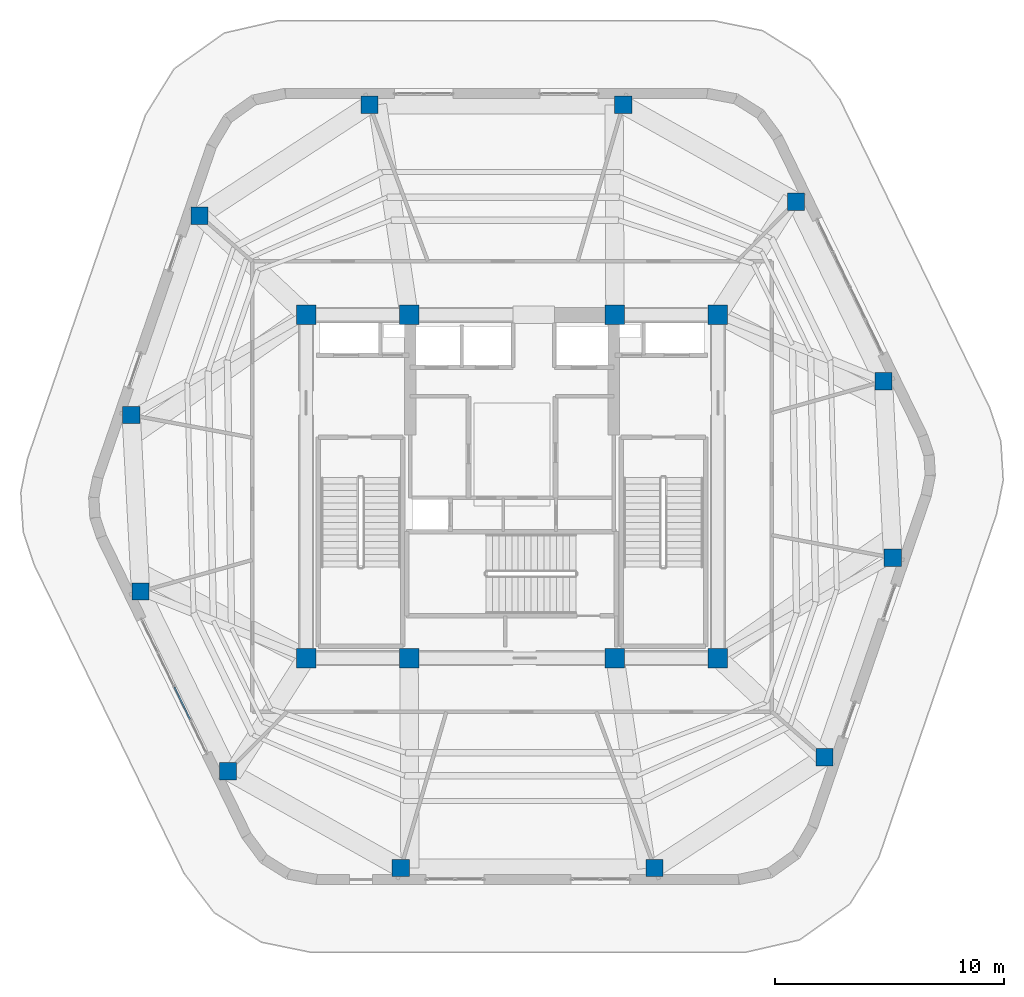
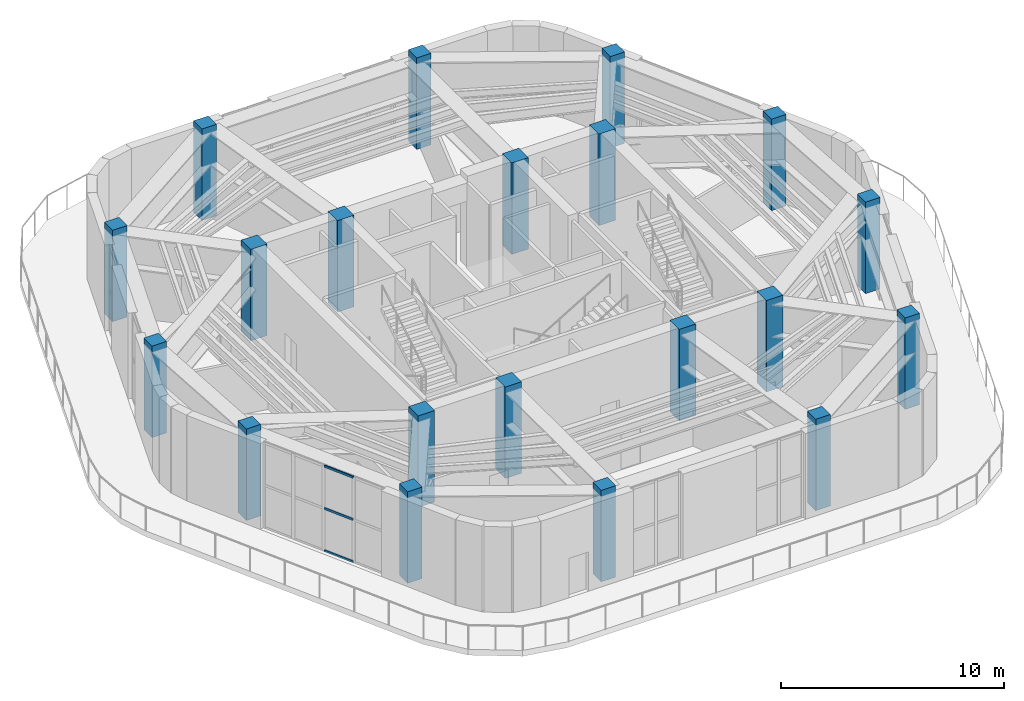
# One storey, part 1 of 24: 20 columns, 3 members, 1 element without a shape of its own.
"""IFC4 building model written with IfcOpenShell, lengths in metres."""

import ifcopenshell
import ifcopenshell.guid

model = None  # the IFC model being written
_history = None  # IfcOwnerHistory: only IFC2X3 demands one
_inside = {}  # id of a spatial element -> (the spatial element, [elements in it])
_under = {}  # id of a project, library or spatial element -> (it, [spatial elements below it])
_declared = {}  # id of a project -> (the project, [libraries it declares])
_typed = {}  # id of a type object -> (the type object, [elements of that type])
_made_of = {}  # id of a material, layer set ... -> (it, [elements and type objects made of it])


def new_model(schema):
    """Start an empty IFC model of exactly this schema.

    Asked for "IFC4X3", IfcOpenShell would pick the latest addendum, in which some entities
    have other attributes; the version numbers below select the first issue.
    IFC2X3 requires an IfcOwnerHistory on every rooted entity: one is made here for all.
    """
    global model, _history
    if schema == "IFC4X3":
        model = ifcopenshell.file(schema_version=(4, 3, 0, 0))
    else:
        model = ifcopenshell.file(schema=schema)
    _inside.clear()
    _under.clear()
    _declared.clear()
    _typed.clear()
    _made_of.clear()
    _history = None
    if model.schema == "IFC2X3":
        org = make("IfcOrganization", Name="unknown")
        user = make(
            "IfcPersonAndOrganization",
            ThePerson=make("IfcPerson", FamilyName="unknown"),
            TheOrganization=org,
        )
        app = make(
            "IfcApplication",
            ApplicationDeveloper=org,
            Version="unknown",
            ApplicationFullName="unknown",
            ApplicationIdentifier="unknown",
        )
        _history = make(
            "IfcOwnerHistory",
            OwningUser=user,
            OwningApplication=app,
            ChangeAction="ADDED",
            CreationDate=0,
        )
    return model


def make(cls, **values):
    """One entity of the class cls with the attributes given. An attribute that is None is left unset."""
    return model.create_entity(
        cls, **{name: value for name, value in values.items() if value is not None}
    )


def rooted(cls, **values):
    """An entity with a GlobalId (a new one), such as an element, a storey or a relation."""
    return make(cls, GlobalId=ifcopenshell.guid.new(), OwnerHistory=_history, **values)


def si_unit(unit_type, name, prefix=None):
    """IfcSIUnit, for example si_unit("LENGTHUNIT", "METRE", prefix="MILLI")."""
    return make("IfcSIUnit", UnitType=unit_type, Prefix=prefix, Name=name)


def assignment(units):
    """IfcUnitAssignment: the units of a project."""
    return None if units is None else make("IfcUnitAssignment", Units=units)


def point(xyz):
    """IfcCartesianPoint."""
    return None if xyz is None else make("IfcCartesianPoint", Coordinates=xyz)


def direction(xyz):
    """IfcDirection."""
    return None if xyz is None else make("IfcDirection", DirectionRatios=xyz)


def frame(location, z_axis=None, x_axis=None):
    """IfcAxis2Placement3D, a coordinate frame: its origin and axes. An axis left out is left unset."""
    return make(
        "IfcAxis2Placement3D",
        Location=point(location),
        Axis=direction(z_axis),
        RefDirection=direction(x_axis),
    )


def frame_2d(location, x_axis=None):
    """IfcAxis2Placement2D, a coordinate frame in the plane: its origin and x axis."""
    return make(
        "IfcAxis2Placement2D", Location=point(location), RefDirection=direction(x_axis)
    )


def origin():
    """The frame at (0, 0, 0) with its axes left unset."""
    return frame((0.0, 0.0, 0.0))


def origin_2d():
    """The frame at (0, 0) in the plane with its x axis left unset."""
    return frame_2d((0.0, 0.0))


def place(relative_to, where):
    """IfcLocalPlacement: puts the frame where relative to a parent placement (None: the world)."""
    return make(
        "IfcLocalPlacement", PlacementRelTo=relative_to, RelativePlacement=where
    )


def context(
    kind, dimensions, precision=None, world=None, true_north=None, identifier=None
):
    """IfcGeometricRepresentationContext, for example the 3D "Model" context."""
    return make(
        "IfcGeometricRepresentationContext",
        ContextIdentifier=identifier,
        ContextType=kind,
        CoordinateSpaceDimension=dimensions,
        Precision=precision,
        WorldCoordinateSystem=world,
        TrueNorth=true_north,
    )


def subcontext(parent, identifier, kind, view, scale=None):
    """IfcGeometricRepresentationSubContext, for example "Body" below "Model"."""
    return make(
        "IfcGeometricRepresentationSubContext",
        ContextIdentifier=identifier,
        ContextType=kind,
        ParentContext=parent,
        TargetScale=scale,
        TargetView=view,
    )


def project(units=None, contexts=None):
    """IfcProject with its units and contexts."""
    return rooted(
        "IfcProject",
        Name="project",
        RepresentationContexts=contexts,
        UnitsInContext=assignment(units),
    )


def spatial(cls, under=None, at=None, **own):
    """A site, building, storey or space (cls), placed at a placement, below another one or the project."""
    s = rooted(cls, ObjectPlacement=at, **own)
    if under is not None:
        _under.setdefault(under.id(), (under, []))[1].append(s)
    return s


def profile(cls, at=None, kind="AREA", **sizes):
    """A parametric profile (cls). Its sizes go by their IFC names, for example OverallWidth=200.0."""
    return make(cls, ProfileType=kind, Position=at, **sizes)


def rectangle(**sizes):
    """IfcRectangleProfileDef."""
    return profile("IfcRectangleProfileDef", **sizes)


def hollow_rectangle(**sizes):
    """IfcRectangleHollowProfileDef."""
    return profile("IfcRectangleHollowProfileDef", **sizes)


def extrude(swept, where, along, depth):
    """IfcExtrudedAreaSolid: the profile swept, set in the frame where, extruded along a direction by depth."""
    return make(
        "IfcExtrudedAreaSolid",
        SweptArea=swept,
        Position=where,
        ExtrudedDirection=direction(along),
        Depth=depth,
    )


def shape(context_of_items, identifier, shape_type, items):
    """IfcShapeRepresentation: the items that make up one representation, for example the "Body"."""
    return make(
        "IfcShapeRepresentation",
        ContextOfItems=context_of_items,
        RepresentationIdentifier=identifier,
        RepresentationType=shape_type,
        Items=items,
    )


def material(Name=None, Category=None):
    """IfcMaterial."""
    return make("IfcMaterial", Name=Name, Category=Category)


def layer(
    of_material, thickness, ventilated=None, Name=None, Category=None, Priority=None
):
    """IfcMaterialLayer: one layer of a wall or slab, of a material (None: an air gap)."""
    return make(
        "IfcMaterialLayer",
        Material=of_material,
        LayerThickness=thickness,
        IsVentilated=ventilated,
        Name=Name,
        Category=Category,
        Priority=Priority,
    )


def layer_set(layers, Name=None):
    """IfcMaterialLayerSet."""
    return make("IfcMaterialLayerSet", MaterialLayers=layers, LayerSetName=Name)


def material_profile(
    of_material, cross_section, Name=None, Category=None, Priority=None
):
    """IfcMaterialProfile: a cross section and its material."""
    return make(
        "IfcMaterialProfile",
        Name=Name,
        Material=of_material,
        Profile=cross_section,
        Priority=Priority,
        Category=Category,
    )


def profile_set(profiles, Name=None, composite=None):
    """IfcMaterialProfileSet."""
    return make(
        "IfcMaterialProfileSet",
        Name=Name,
        MaterialProfiles=profiles,
        CompositeProfile=composite,
    )


def made_of(thing, what):
    """Note that an element or type object is made of a material, layer set ...; save() writes the relation."""
    if what is not None:
        _made_of.setdefault(what.id(), (what, []))[1].append(thing)
    return thing


def type_object(cls, material=None, **own):
    """A type object (cls), such as IfcWallType, which elements share."""
    return made_of(rooted(cls, **own), material)


def element(
    cls,
    number,
    at=None,
    inside=None,
    cuts=None,
    type_object=None,
    material=None,
    context=None,
    identifier="Body",
    shape_type=None,
    held_by="IfcProductDefinitionShape",
    body=None,
    shapes=None,
    **own,
):
    """One element of the class cls, such as IfcWall. Its Tag is "e" and its number.

    at: its placement. inside: the storey or other place that contains it. cuts: it is an
    opening in that element (IfcRelVoidsElement). A single representation is given by context,
    identifier, shape_type and body (its items); several are given by shapes. held_by: the class
    of the entity that holds the representations. save() writes the other relations.
    """
    e = rooted(cls, Tag="e%d" % number, ObjectPlacement=at, **own)
    if body is not None:
        shapes = [shape(context, identifier, shape_type, body)]
    if shapes is not None:
        e.Representation = make(held_by, Representations=shapes)
    if inside is not None:
        _inside.setdefault(inside.id(), (inside, []))[1].append(e)
    if cuts is not None:
        rooted(
            "IfcRelVoidsElement", RelatingBuildingElement=cuts, RelatedOpeningElement=e
        )
    if type_object is not None:
        _typed.setdefault(type_object.id(), (type_object, []))[1].append(e)
    return made_of(e, material)


def aggregate(whole, parts):
    """IfcRelAggregates: a whole, such as a stair, and the parts it consists of."""
    return rooted("IfcRelAggregates", RelatingObject=whole, RelatedObjects=parts)


def save(model, path):
    """Write the relations noted so far, then the file.

    IfcRelAggregates (storeys below a building ...), IfcRelContainedInSpatialStructure (elements
    in a storey), IfcRelDefinesByType, IfcRelAssociatesMaterial and IfcRelDeclares: one each for
    every whole, place, type object, material and project.
    """
    for whole, parts in _under.values():
        aggregate(whole, parts)
    for where, things in _inside.values():
        rooted(
            "IfcRelContainedInSpatialStructure",
            RelatedElements=things,
            RelatingStructure=where,
        )
    for kind, things in _typed.values():
        rooted("IfcRelDefinesByType", RelatedObjects=things, RelatingType=kind)
    for what, things in _made_of.values():
        rooted("IfcRelAssociatesMaterial", RelatedObjects=things, RelatingMaterial=what)
    for by, libraries in _declared.values():
        rooted("IfcRelDeclares", RelatingContext=by, RelatedDefinitions=libraries)
    model.write(path)


model = new_model("IFC4")

# Units and contexts
model_context = context("Model", 3, precision=1e-05, world=origin(), true_north=direction((0.0, 1.0)))
body_context = subcontext(model_context, "Body", "Model", "MODEL_VIEW")
ifc_project = project(units=[si_unit("LENGTHUNIT", "METRE"), si_unit("AREAUNIT", "SQUARE_METRE"), si_unit("VOLUMEUNIT", "CUBIC_METRE"), si_unit("PLANEANGLEUNIT", "RADIAN"), si_unit("MASSUNIT", "GRAM", prefix="KILO")], contexts=[model_context])

# Site, building, storey
site_placement = place(None, origin())
site = spatial("IfcSite", under=ifc_project, at=site_placement, CompositionType="ELEMENT")
building_placement = place(site_placement, origin())
building = spatial("IfcBuilding", under=site, at=building_placement, Name="Kilnhurst Terrace Hotel", CompositionType="ELEMENT")
storey_placement = place(building_placement, frame((0.0, 0.0, 305.39990234375)))
storey = spatial("IfcBuildingStorey", under=building, at=storey_placement, Name="L76", CompositionType="ELEMENT", Elevation=305.39990234375)

# Columns
ifc_material_1 = material(Name="Concrete C60/75", Category="concrete")
ifc_material_profile_1 = material_profile(ifc_material_1, rectangle(XDim=0.75, YDim=0.75, at=origin_2d()), Name="RC750X750")
ifc_profile_set_1 = profile_set([ifc_material_profile_1], Name="Concrete C60/75")
column_type_1 = type_object("IfcColumnType", Name="COL-RC-750", PredefinedType="COLUMN", material=ifc_profile_set_1)
for number, where, z_axis, x_axis, name in (
    (1, (-4.85888671875, -16.679931640625, 0.0), (0.0, 0.0, 1.0), (1.0, 0.0, 0.0), "L76 Structural Column PC-F11"),
    (2, (6.23388671875, -16.679931640625, 0.0), (0.0, 0.0, 1.0), (1.0, 0.0, 0.0), "L76 Structural Column PC-F12"),
    (3, (13.652099609375, -11.8310546875, 0.0), (0.0, 0.0, 1.0), (1.0, 0.0, 0.0), "L76 Structural Column PC-F21"),
    (4, (16.64111328125, -3.118896484375, 0.0), (0.0, 0.0, 1.0), (1.0, 0.0, 0.0), "L76 Structural Column PC-F22"),
    (5, (16.23193359375, 4.594970703125, 0.0), (0.0, 0.0, 1.0), (1.0, 0.0, 0.0), "L76 Structural Column PC-F31"),
    (6, (12.41796875, 12.443115234375, 0.0), (0.0, 0.0, 1.0), (1.0, 0.0, 0.0), "L76 Structural Column PC-F32"),
    (7, (4.85888671875, 16.679931640625, 0.0), (0.0, 0.0, 1.0), (1.0, 0.0, 0.0), "L76 Structural Column PC-F41"),
    (8, (-6.23388671875, 16.679931640625, 0.0), (0.0, 0.0, 1.0), (1.0, 0.0, 0.0), "L76 Structural Column PC-F42"),
    (9, (-13.652099609375, 11.8310546875, 0.0), (0.0, 0.0, 1.0), (1.0, 0.0, 0.0), "L76 Structural Column PC-F51"),
    (10, (-16.64111328125, 3.118896484375, 0.0), (0.0, 0.0, 1.0), (1.0, 0.0, 0.0), "L76 Structural Column PC-F52"),
    (11, (-16.23193359375, -4.594970703125, 0.0), (0.0, 0.0, 1.0), (1.0, 0.0, 0.0), "L76 Structural Column PC-F61"),
    (12, (-12.41796875, -12.443115234375, 0.0), (0.0, 0.0, 1.0), (1.0, 0.0, 0.0), "L76 Structural Column PC-F62"),
):
    element("IfcColumn", number, at=place(storey_placement, frame(where, z_axis=z_axis, x_axis=x_axis)), inside=storey, type_object=column_type_1, Name=name, PredefinedType="COLUMN", context=body_context, shape_type="SweptSolid", body=[
        extrude(rectangle(XDim=0.75, YDim=0.75, at=origin_2d()), origin(), (0.0, 0.0, 1.0), 5.0),
    ])
ifc_material_profile_2 = material_profile(ifc_material_1, rectangle(XDim=0.85009765625, YDim=0.85009765625, at=origin_2d()), Name="RC850X850")
ifc_profile_set_2 = profile_set([ifc_material_profile_2], Name="Concrete C60/75")
column_type_2 = type_object("IfcColumnType", Name="COL-RC-850", PredefinedType="COLUMN", material=ifc_profile_set_2)
for number, where, z_axis, x_axis, name in (
    (13, (-9.0, -7.5, 0.0), (0.0, 0.0, 1.0), (1.0, 0.0, 0.0), "L76 Structural Column CC-SW"),
    (14, (-4.5, -7.5, 0.0), (0.0, 0.0, 1.0), (1.0, 0.0, 0.0), "L76 Structural Column CC-SC1"),
    (15, (4.5, -7.5, 0.0), (0.0, 0.0, 1.0), (1.0, 0.0, 0.0), "L76 Structural Column CC-SC2"),
    (16, (9.0, -7.5, 0.0), (0.0, 0.0, 1.0), (1.0, 0.0, 0.0), "L76 Structural Column CC-SE"),
    (17, (9.0, 7.5, 0.0), (0.0, 0.0, 1.0), (1.0, 0.0, 0.0), "L76 Structural Column CC-NE"),
    (18, (4.5, 7.5, 0.0), (0.0, 0.0, 1.0), (1.0, 0.0, 0.0), "L76 Structural Column CC-NC2"),
    (19, (-4.5, 7.5, 0.0), (0.0, 0.0, 1.0), (1.0, 0.0, 0.0), "L76 Structural Column CC-NC1"),
    (20, (-9.0, 7.5, 0.0), (0.0, 0.0, 1.0), (1.0, 0.0, 0.0), "L76 Structural Column CC-NW"),
):
    element("IfcColumn", number, at=place(storey_placement, frame(where, z_axis=z_axis, x_axis=x_axis)), inside=storey, type_object=column_type_2, Name=name, PredefinedType="COLUMN", context=body_context, shape_type="SweptSolid", body=[
        extrude(rectangle(XDim=0.85009765625, YDim=0.85009765625, at=origin_2d()), origin(), (0.0, 0.0, 1.0), 5.0),
    ])

# Curtain wall, members
ifc_material_2 = material(Name="Anodized Aluminium Alloy 6063-T6 and Low-E Glass", Category="aluminium")
ifc_layer = layer(ifc_material_2, 0.219970703125, Name="Anodized Aluminium Alloy 6063-T6 and Low-E Glass")
ifc_layer_set = layer_set([ifc_layer], Name="Anodized Aluminium Alloy 6063-T6 and Low-E Glass")
curtain_wall_type = type_object("IfcCurtainWallType", Name="CW-OBS-CROWN", PredefinedType="NOTDEFINED", material=ifc_layer_set)
curtain_wall_placement = place(storey_placement, origin())
curtain_wall = element("IfcCurtainWall", 21, at=curtain_wall_placement, inside=storey, type_object=curtain_wall_type, Name="L76 Curtain Wall CW-L76-F6-1", PredefinedType="NOTDEFINED")
ifc_material_3 = material(Name="Extruded Aluminium Alloy 6063-T6", Category="aluminium")
ifc_material_profile_3 = material_profile(ifc_material_3, hollow_rectangle(XDim=0.06494140625, YDim=0.1201171875, WallThickness=0.00341796875, at=origin_2d()), Name="CWT65X120")
ifc_profile_set_3 = profile_set([ifc_material_profile_3], Name="Extruded Aluminium Alloy 6063-T6")
member_type = type_object("IfcMemberType", Name="MEM-CWT65X120", PredefinedType="USERDEFINED", material=ifc_profile_set_3)
member_1_placement = place(storey_placement, frame((-14.756103515625, -8.7646484375, 0.03271484375), z_axis=(0.437148936129, -0.899389130267, 0.0), x_axis=(0.899389130267, 0.437148936129, 0.0)))
member_1 = element("IfcMember", 22, at=member_1_placement, type_object=member_type, Name="CWO-6 transom 3.1", ObjectType="TRANSOM", PredefinedType="USERDEFINED", context=body_context, shape_type="SweptSolid", body=[
    extrude(hollow_rectangle(XDim=0.06494140625, YDim=0.1201171875, WallThickness=0.00341796875, at=origin_2d()), origin(), (0.0, 0.0, 1.0), 1.566650390625),
])
member_2_placement = place(storey_placement, frame((-14.756103515625, -8.7646484375, 2.340087890625), z_axis=(0.437148936129, -0.899389130267, 0.0), x_axis=(0.899389130267, 0.437148936129, 0.0)))
member_2 = element("IfcMember", 23, at=member_2_placement, type_object=member_type, Name="CWO-6 transom 3.2", ObjectType="TRANSOM", PredefinedType="USERDEFINED", context=body_context, shape_type="SweptSolid", body=[
    extrude(hollow_rectangle(XDim=0.06494140625, YDim=0.1201171875, WallThickness=0.00341796875, at=origin_2d()), origin(), (0.0, 0.0, 1.0), 1.566650390625),
])
member_3_placement = place(storey_placement, frame((-14.756103515625, -8.7646484375, 4.647705078125), z_axis=(0.437148936129, -0.899389130267, 0.0), x_axis=(0.899389130267, 0.437148936129, 0.0)))
member_3 = element("IfcMember", 24, at=member_3_placement, type_object=member_type, Name="CWO-6 transom 3.3", ObjectType="TRANSOM", PredefinedType="USERDEFINED", context=body_context, shape_type="SweptSolid", body=[
    extrude(hollow_rectangle(XDim=0.06494140625, YDim=0.1201171875, WallThickness=0.00341796875, at=origin_2d()), origin(), (0.0, 0.0, 1.0), 1.566650390625),
])
aggregate(curtain_wall, [member_1, member_2, member_3])

save(model, "model.ifc")
